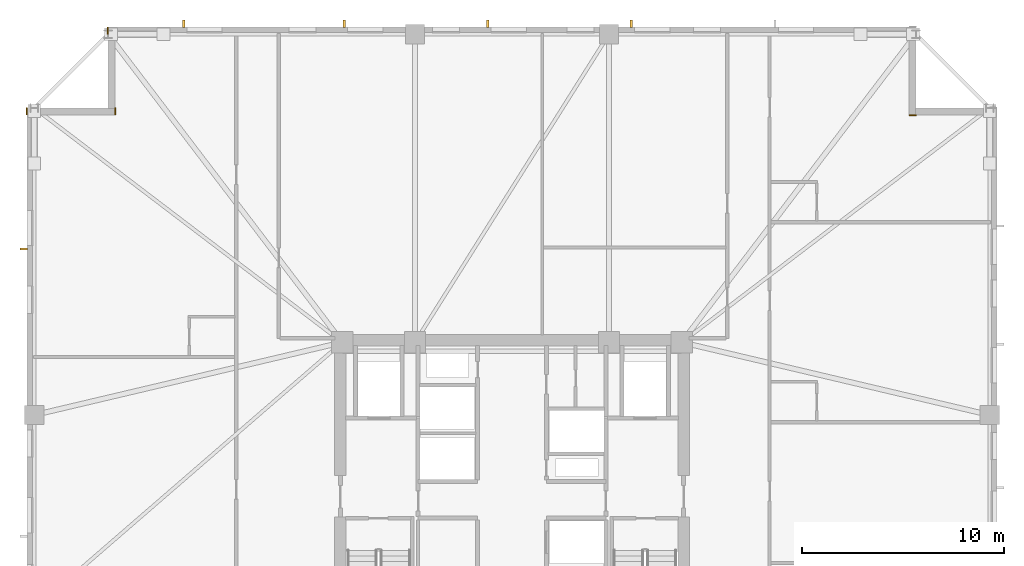
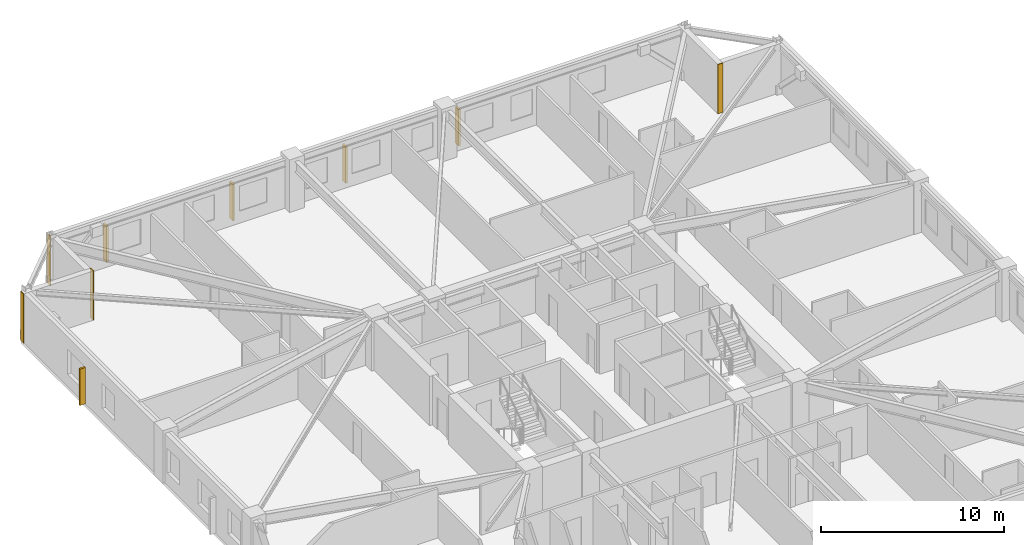
# One storey, part 10 of 11: 5 shading devices, 4 coverings.
"""IFC4 building model written with IfcOpenShell, lengths in metres."""

from ifc_helpers import new_model, si_unit, direction, frame, frame_2d, origin, origin_2d, place, context, subcontext, project, spatial, rectangle, extrude, material, layer, layer_set, type_object, element, save


model = new_model("IFC4")

# Units and contexts
model_context = context("Model", 3, precision=1e-05, world=origin(), true_north=direction((0.0, 1.0)))
body_context = subcontext(model_context, "Body", "Model", "MODEL_VIEW")
ifc_project = project(units=[si_unit("LENGTHUNIT", "METRE"), si_unit("AREAUNIT", "SQUARE_METRE"), si_unit("VOLUMEUNIT", "CUBIC_METRE"), si_unit("PLANEANGLEUNIT", "RADIAN"), si_unit("MASSUNIT", "GRAM", prefix="KILO")], contexts=[model_context])

# Site, building, storey
site_placement = place(None, origin())
site = spatial("IfcSite", under=ifc_project, at=site_placement, CompositionType="ELEMENT")
building_placement = place(site_placement, origin())
building = spatial("IfcBuilding", under=site, at=building_placement, Name="Cairnveth Concourse Tower", CompositionType="ELEMENT")
storey_placement = place(building_placement, frame((0.0, 0.0, 158.5)))
storey = spatial("IfcBuildingStorey", under=building, at=storey_placement, Name="L43", CompositionType="ELEMENT", Elevation=158.5)

# Coverings
ifc_material_1 = material(Name="Dressed Melbourne Bluestone Cladding", Category="masonry")
ifc_layer = layer(ifc_material_1, 0.050048828125)
ifc_layer_set = layer_set([ifc_layer], Name="Dressed Melbourne Bluestone Cladding")
covering_type = type_object("IfcCoveringType", Name="DRESSED BLUESTONE PLINTH CLADDING 50", PredefinedType="CLADDING", material=ifc_layer_set)
for number, where, z_axis, x_axis, name in (
    (1, (27.97998046875, 58.659912109375, 0.0), (0.0, 0.0, 1.0), (0.0, 1.0, 0.0), "Melbourne Bluestone Corner Quoin L43-631"),
    (2, (32.360107421875, 58.659912109375, 0.0), (0.0, 0.0, 1.0), (0.0, 1.0, 0.0), "Melbourne Bluestone Corner Quoin L43-632"),
    (3, (31.97998046875, 62.659912109375, 0.0), (0.0, 0.0, 1.0), (0.0, 1.0, 0.0), "Melbourne Bluestone Corner Quoin L43-633"),
    (4, (71.659912109375, 58.639892578125, 0.0), (0.0, 0.0, 1.0), (1.0, 0.0, 0.0), "Melbourne Bluestone Corner Quoin L43-635"),
):
    element("IfcCovering", number, at=place(storey_placement, frame(where, z_axis=z_axis, x_axis=x_axis)), inside=storey, type_object=covering_type, Name=name, PredefinedType="CLADDING", context=body_context, shape_type="SweptSolid", body=[
        extrude(rectangle(XDim=0.340087890625, YDim=0.050048828125, at=frame_2d((0.169921875, 0.0))), origin(), (0.0, 0.0, 1.0), 3.280029296875),
    ])

# Shading devices
ifc_material_2 = material(Name="Architectural Bronze Anodised Aluminium 6063-T6", Category="aluminium")
shading_device_type = type_object("IfcShadingDeviceType", Name="GOTHIC BRONZE VERTICAL LANCET FIN", PredefinedType="USERDEFINED", material=ifc_material_2)
for number, where, z_axis, x_axis, name in (
    (5, (27.824951171875, 52.020263671875, 0.030029296875), (0.0, 0.0, 1.0), (0.0, 1.0, 0.0), "Gothic Bronze Vertical Fin L43-3-9"),
    (6, (35.74169921875, 63.175048828125, 0.030029296875), (0.0, 0.0, 1.0), (1.0, 0.0, 0.0), "Gothic Bronze Vertical Fin L43-6-1"),
    (7, (43.698974609375, 63.175048828125, 0.030029296875), (0.0, 0.0, 1.0), (1.0, 0.0, 0.0), "Gothic Bronze Vertical Fin L43-6-3"),
    (8, (50.805908203125, 63.175048828125, 0.030029296875), (0.0, 0.0, 1.0), (1.0, 0.0, 0.0), "Gothic Bronze Vertical Fin L43-6-5"),
    (9, (57.9130859375, 63.175048828125, 0.030029296875), (0.0, 0.0, 1.0), (1.0, 0.0, 0.0), "Gothic Bronze Vertical Fin L43-6-7"),
):
    element("IfcShadingDevice", number, at=place(storey_placement, frame(where, z_axis=z_axis, x_axis=x_axis)), inside=storey, type_object=shading_device_type, Name=name, ObjectType="VERTICAL FIN", PredefinedType="USERDEFINED", context=body_context, shape_type="SweptSolid", body=[
        extrude(rectangle(XDim=0.1201171875, YDim=0.360107421875, at=origin_2d()), origin(), (0.0, 0.0, 1.0), 2.419921875),
    ])

save(model, "model.ifc")
